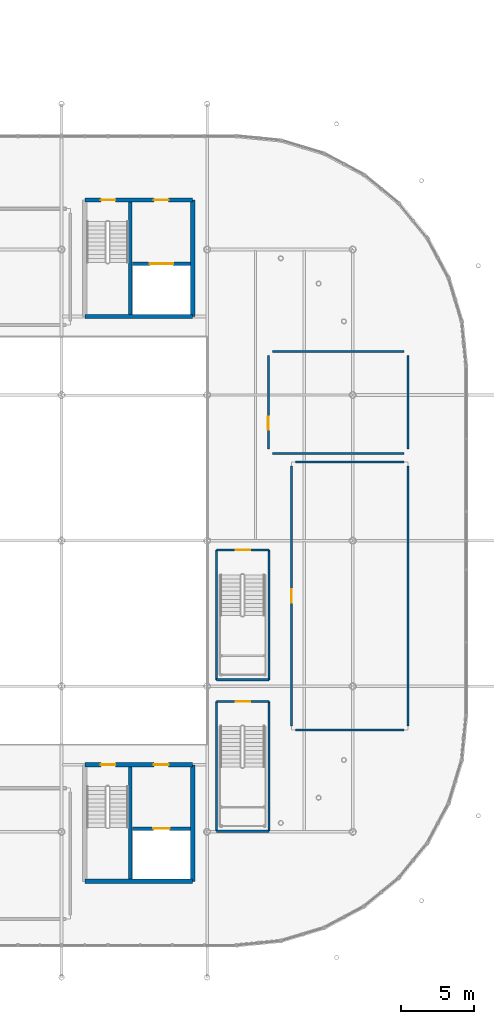
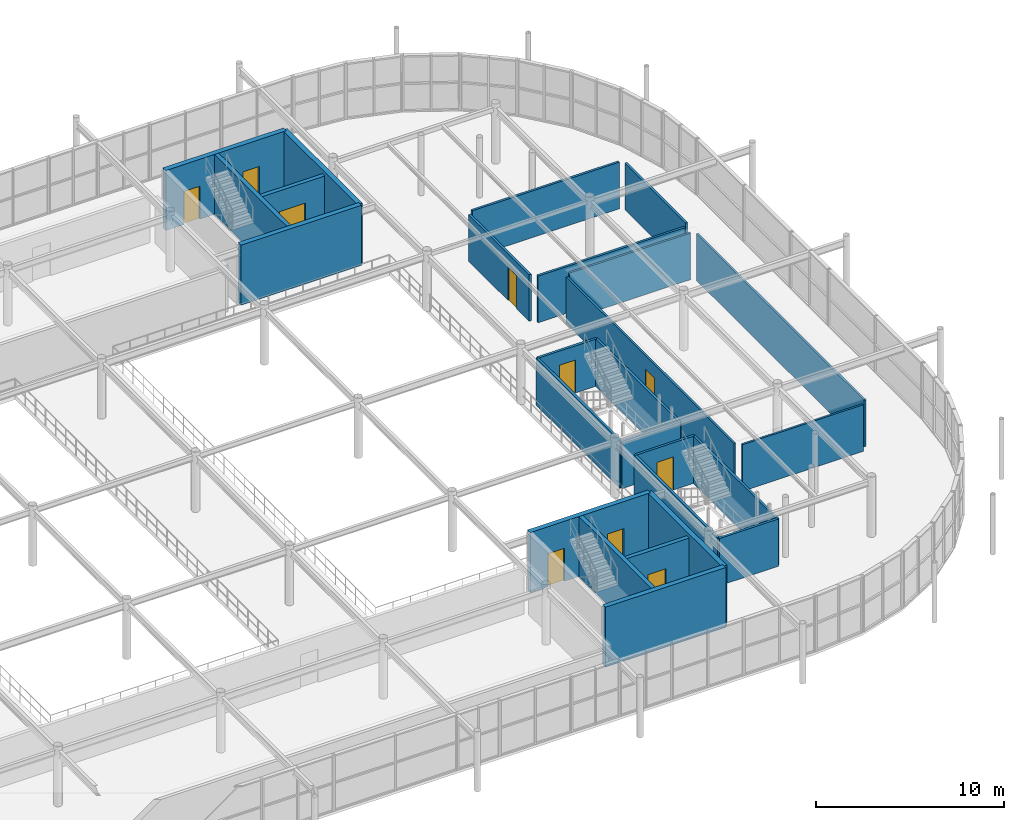
# One storey, part 81 of 98: 26 walls, 10 doors, 10 openings.
"""IFC4 building model written with IfcOpenShell, lengths in metres."""

from ifc_helpers import new_model, si_unit, derived_unit, direction, frame, frame_2d, origin, place, context, subcontext, project, spatial, rectangle, extrude, material, layer, layer_set, type_object, element, fill, save


model = new_model("IFC4")

# Units and contexts
model_context = context("Model", 3, precision=1e-05, world=origin(), true_north=direction((0.0, 1.0)))
body_context = subcontext(model_context, "Body", "Model", "MODEL_VIEW")
ifc_project = project(units=[si_unit("LENGTHUNIT", "METRE"), si_unit("AREAUNIT", "SQUARE_METRE"), si_unit("VOLUMEUNIT", "CUBIC_METRE"), si_unit("PLANEANGLEUNIT", "RADIAN"), si_unit("MASSUNIT", "GRAM", prefix="KILO"), derived_unit("THERMALTRANSMITTANCEUNIT", [(si_unit("POWERUNIT", "WATT"), 1), (si_unit("LENGTHUNIT", "METRE"), -2), (si_unit("THERMODYNAMICTEMPERATUREUNIT", "KELVIN"), -1)])], contexts=[model_context])

# Site, building, storey
site_placement = place(None, origin())
site = spatial("IfcSite", under=ifc_project, at=site_placement, CompositionType="ELEMENT")
building_placement = place(site_placement, origin())
building = spatial("IfcBuilding", under=site, at=building_placement, Name="Cinnabar Yard Market Hall", CompositionType="ELEMENT")
storey_placement = place(building_placement, frame((0.0, 0.0, 4.5)))
storey = spatial("IfcBuildingStorey", under=building, at=storey_placement, Name="L01", CompositionType="ELEMENT", Elevation=4.5)

# Walls
ifc_material_1 = material(Name="Acoustic steel-stud plasterboard", Category="steel")
ifc_layer_1 = layer(ifc_material_1, 0.1201171875)
ifc_layer_set_1 = layer_set([ifc_layer_1], Name="Acoustic steel-stud plasterboard")
wall_type_1 = type_object("IfcWallType", Name="WL-PT120", PredefinedType="PARTITIONING", material=ifc_layer_set_1)
wall_1_placement = place(storey_placement, frame((152.080078125, 31.0, 0.0), z_axis=(0.0, 0.0, 1.0), x_axis=(1.0, 0.0, 0.0)))
element("IfcWall", 1, at=wall_1_placement, inside=storey, type_object=wall_type_1, Name="Partition East Gallery Tandoor and Grill Restaurant south", PredefinedType="PARTITIONING", context=body_context, shape_type="SweptSolid", body=[
    extrude(rectangle(XDim=7.43994140625, YDim=0.1201171875, at=frame_2d((3.719970703125, 0.0), x_axis=(1.0, 0.0))), origin(), (0.0, 0.0, 1.0), 3.030029296875),
])
wall_2_placement = place(storey_placement, frame((159.800048828125, 31.280029296875, 0.0), z_axis=(0.0, 0.0, 1.0), x_axis=(0.0, 1.0, 0.0)))
element("IfcWall", 2, at=wall_2_placement, inside=storey, type_object=wall_type_1, Name="Partition East Gallery Tandoor and Grill Restaurant east", PredefinedType="PARTITIONING", context=body_context, shape_type="SweptSolid", body=[
    extrude(rectangle(XDim=17.840087890625, YDim=0.1201171875, at=frame_2d((8.919921875, 0.0), x_axis=(1.0, 0.0))), origin(), (0.0, 0.0, 1.0), 3.030029296875),
])
wall_3_placement = place(storey_placement, frame((159.52001953125, 49.39990234375, 0.0), z_axis=(0.0, 0.0, 1.0), x_axis=(-1.0, 0.0, 0.0)))
element("IfcWall", 3, at=wall_3_placement, inside=storey, type_object=wall_type_1, Name="Partition East Gallery Tandoor and Grill Restaurant north", PredefinedType="PARTITIONING", context=body_context, shape_type="SweptSolid", body=[
    extrude(rectangle(XDim=7.43994140625, YDim=0.1201171875, at=frame_2d((3.719970703125, 0.0), x_axis=(1.0, 0.0))), origin(), (0.0, 0.0, 1.0), 3.030029296875),
])

# Wall, opening, door
wall_4_placement = place(storey_placement, frame((151.800048828125, 49.1201171875, 0.0), z_axis=(0.0, 0.0, 1.0), x_axis=(0.0, -1.0, 0.0)))
wall_4 = element("IfcWall", 4, at=wall_4_placement, inside=storey, type_object=wall_type_1, Name="Partition East Gallery Tandoor and Grill Restaurant west", PredefinedType="PARTITIONING", context=body_context, shape_type="SweptSolid", body=[
    extrude(rectangle(XDim=17.840087890625, YDim=0.1201171875, at=frame_2d((8.919921875, 0.0), x_axis=(1.0, 0.0))), origin(), (0.0, 0.0, 1.0), 3.030029296875),
])
opening_1_placement = place(wall_4_placement, frame((8.445068359375, 0.0, 0.0)))
opening_1 = element("IfcOpeningElement", 5, at=opening_1_placement, cuts=wall_4, Name="Opening ID-146", PredefinedType="OPENING", context=body_context, shape_type="SweptSolid", body=[
    extrude(rectangle(XDim=0.949951171875, YDim=2.14990234375, at=frame_2d((0.47509765625, 1.074951171875), x_axis=(1.0, 0.0))), frame((0.0, 0.070068359375, 0.0), z_axis=(0.0, -1.0, 0.0), x_axis=(1.0, 0.0, 0.0)), (0.0, 0.0, 1.0), 0.14013671875),
])
ifc_material_2 = material(Name="Solid-core spotted gum timber", Category="wood")
door_type_1 = type_object("IfcDoorType", Name="DR-D06", OperationType="NOTDEFINED", PredefinedType="DOOR", material=ifc_material_2)
door_1_placement = place(opening_1_placement, origin())
door_1 = element("IfcDoor", 6, at=door_1_placement, inside=storey, type_object=door_type_1, Name="Interior Door ID-146", OperationType="SINGLE_SWING_LEFT", OverallHeight=2.14990234375, OverallWidth=0.949951171875, PredefinedType="DOOR", context=body_context, shape_type="SweptSolid", body=[
    extrude(rectangle(XDim=0.949951171875, YDim=2.14990234375, at=frame_2d((0.47509765625, 1.074951171875), x_axis=(1.0, 0.0))), frame((0.0, 0.02490234375, 0.0), z_axis=(0.0, -1.0, 0.0), x_axis=(1.0, 0.0, 0.0)), (0.0, 0.0, 1.0), 0.050048828125),
])
fill(opening_1, door_1)

# Walls
ifc_material_3 = material(Name="Moisture-resistant tiled service wall")
ifc_layer_2 = layer(ifc_material_3, 0.139892578125)
ifc_layer_set_2 = layer_set([ifc_layer_2], Name="Moisture-resistant tiled service wall")
wall_type_2 = type_object("IfcWallType", Name="WL-PT140", PredefinedType="PLUMBINGWALL", material=ifc_layer_set_2)
wall_5_placement = place(storey_placement, frame((150.47998046875, 50.0, 0.0), z_axis=(0.0, 0.0, 1.0), x_axis=(1.0, 0.0, 0.0)))
element("IfcWall", 7, at=wall_5_placement, inside=storey, type_object=wall_type_2, Name="Partition L01 Gallery Public and Accessible WC south", PredefinedType="PLUMBINGWALL", context=body_context, shape_type="SweptSolid", body=[
    extrude(rectangle(XDim=9.0400390625, YDim=0.139892578125, at=frame_2d((4.52001953125, 0.0), x_axis=(1.0, 0.0))), origin(), (0.0, 0.0, 1.0), 3.030029296875),
])
wall_6_placement = place(storey_placement, frame((159.800048828125, 50.280029296875, 0.0), z_axis=(0.0, 0.0, 1.0), x_axis=(0.0, 1.0, 0.0)))
element("IfcWall", 8, at=wall_6_placement, inside=storey, type_object=wall_type_2, Name="Partition L01 Gallery Public and Accessible WC east", PredefinedType="PLUMBINGWALL", context=body_context, shape_type="SweptSolid", body=[
    extrude(rectangle(XDim=6.43994140625, YDim=0.139892578125, at=frame_2d((3.219970703125, 0.0), x_axis=(1.0, 0.0))), origin(), (0.0, 0.0, 1.0), 3.030029296875),
])
wall_7_placement = place(storey_placement, frame((159.52001953125, 57.0, 0.0), z_axis=(0.0, 0.0, 1.0), x_axis=(-1.0, 0.0, 0.0)))
element("IfcWall", 9, at=wall_7_placement, inside=storey, type_object=wall_type_2, Name="Partition L01 Gallery Public and Accessible WC north", PredefinedType="PLUMBINGWALL", context=body_context, shape_type="SweptSolid", body=[
    extrude(rectangle(XDim=9.0400390625, YDim=0.139892578125, at=frame_2d((4.52001953125, 0.0), x_axis=(1.0, 0.0))), origin(), (0.0, 0.0, 1.0), 3.030029296875),
])

# Wall, opening, door
wall_8_placement = place(storey_placement, frame((150.199951171875, 56.719970703125, 0.0), z_axis=(0.0, 0.0, 1.0), x_axis=(0.0, -1.0, 0.0)))
wall_8 = element("IfcWall", 10, at=wall_8_placement, inside=storey, type_object=wall_type_2, Name="Partition L01 Gallery Public and Accessible WC west", PredefinedType="PLUMBINGWALL", context=body_context, shape_type="SweptSolid", body=[
    extrude(rectangle(XDim=6.43994140625, YDim=0.139892578125, at=frame_2d((3.219970703125, 0.0), x_axis=(1.0, 0.0))), origin(), (0.0, 0.0, 1.0), 3.030029296875),
])
opening_2_placement = place(wall_8_placement, frame((4.1953125, 0.0, 0.0)))
opening_2 = element("IfcOpeningElement", 11, at=opening_2_placement, cuts=wall_8, Name="Opening ID-147", PredefinedType="OPENING", context=body_context, shape_type="SweptSolid", body=[
    extrude(rectangle(XDim=0.919921875, YDim=2.14990234375, at=frame_2d((0.4599609375, 1.074951171875), x_axis=(1.0, 0.0))), frame((0.0, 0.079833984375, 0.0), z_axis=(0.0, -1.0, 0.0), x_axis=(1.0, 0.0, 0.0)), (0.0, 0.0, 1.0), 0.159912109375),
])
door_type_2 = type_object("IfcDoorType", Name="DR-D07", OperationType="NOTDEFINED", PredefinedType="DOOR", material=ifc_material_2)
door_2_placement = place(opening_2_placement, origin())
door_2 = element("IfcDoor", 12, at=door_2_placement, inside=storey, type_object=door_type_2, Name="Interior Door ID-147", OperationType="SINGLE_SWING_RIGHT", OverallHeight=2.14990234375, OverallWidth=0.919921875, PredefinedType="DOOR", context=body_context, shape_type="SweptSolid", body=[
    extrude(rectangle(XDim=0.919921875, YDim=2.14990234375, at=frame_2d((0.4599609375, 1.074951171875), x_axis=(1.0, 0.0))), frame((0.0, 0.02490234375, 0.0), z_axis=(0.0, -1.0, 0.0), x_axis=(1.0, 0.0, 0.0)), (0.0, 0.0, 1.0), 0.050048828125),
])
fill(opening_2, door_2)

# Walls
ifc_material_4 = material(Name="Fire-rated steel-stud plasterboard", Category="steel")
ifc_layer_3 = layer(ifc_material_4, 0.14990234375)
ifc_layer_set_3 = layer_set([ifc_layer_3], Name="Fire-rated steel-stud plasterboard")
wall_type_3 = type_object("IfcWallType", Name="WL-PT150", PredefinedType="PARTITIONING", material=ifc_layer_set_3)
for number, where, z_axis, x_axis, name in (
    (13, (146.639892578125, 43.360107421875, 0.0), (0.0, 0.0, 1.0), (0.0, -1.0, 0.0), "Stair ST-F2 Shaft Wall W L01"),
    (14, (150.260009765625, 34.43994140625, 0.0), (0.0, 0.0, 1.0), (0.0, 1.0, 0.0), "Stair ST-F2 Shaft Wall E L01"),
):
    element("IfcWall", number, at=place(storey_placement, frame(where, z_axis=z_axis, x_axis=x_axis)), inside=storey, type_object=wall_type_3, Name=name, PredefinedType="PARTITIONING", context=body_context, shape_type="SweptSolid", body=[
        extrude(rectangle(XDim=8.920166015625, YDim=0.14990234375, at=frame_2d((4.4599609375, 0.0), x_axis=(1.0, 0.0))), origin(), (0.0, 0.0, 1.0), 3.070068359375),
    ])
wall_9_placement = place(storey_placement, frame((146.639892578125, 34.43994140625, 0.0), z_axis=(0.0, 0.0, 1.0), x_axis=(1.0, 0.0, 0.0)))
element("IfcWall", 15, at=wall_9_placement, inside=storey, type_object=wall_type_3, Name="Stair ST-F2 Shaft Wall S L01", PredefinedType="PARTITIONING", context=body_context, shape_type="SweptSolid", body=[
    extrude(rectangle(XDim=3.6201171875, YDim=0.14990234375, at=frame_2d((1.81005859375, 0.0), x_axis=(1.0, 0.0))), origin(), (0.0, 0.0, 1.0), 3.070068359375),
])

# Wall, opening, door
wall_10_placement = place(storey_placement, frame((150.260009765625, 43.360107421875, 0.0), z_axis=(0.0, 0.0, 1.0), x_axis=(-1.0, 0.0, 0.0)))
wall_10 = element("IfcWall", 16, at=wall_10_placement, inside=storey, type_object=wall_type_3, Name="Stair ST-F2 Shaft Wall N L01", PredefinedType="PARTITIONING", context=body_context, shape_type="SweptSolid", body=[
    extrude(rectangle(XDim=3.6201171875, YDim=0.14990234375, at=frame_2d((1.81005859375, 0.0), x_axis=(1.0, 0.0))), origin(), (0.0, 0.0, 1.0), 3.070068359375),
])
opening_3_placement = place(wall_10_placement, frame((1.31005859375, 0.0, 0.0)))
opening_3 = element("IfcOpeningElement", 17, at=opening_3_placement, cuts=wall_10, Name="Opening CD-069", PredefinedType="OPENING", context=body_context, shape_type="SweptSolid", body=[
    extrude(rectangle(XDim=1.0, YDim=2.14990234375, at=frame_2d((0.5, 1.074951171875), x_axis=(1.0, 0.0))), frame((0.0, 0.0849609375, 0.0), z_axis=(0.0, -1.0, 0.0), x_axis=(1.0, 0.0, 0.0)), (0.0, 0.0, 1.0), 0.169921875),
])
door_type_3 = type_object("IfcDoorType", Name="DR-D05", OperationType="NOTDEFINED", PredefinedType="DOOR", material=ifc_material_2)
door_3_placement = place(opening_3_placement, origin())
door_3 = element("IfcDoor", 18, at=door_3_placement, inside=storey, type_object=door_type_3, Name="Stair Door CD-069", OperationType="SINGLE_SWING_LEFT", OverallHeight=2.14990234375, OverallWidth=1.0, PredefinedType="DOOR", context=body_context, shape_type="SweptSolid", body=[
    extrude(rectangle(XDim=1.0, YDim=2.14990234375, at=frame_2d((0.5, 1.074951171875), x_axis=(1.0, 0.0))), frame((0.0, 0.02490234375, 0.0), z_axis=(0.0, -1.0, 0.0), x_axis=(1.0, 0.0, 0.0)), (0.0, 0.0, 1.0), 0.050048828125),
])
fill(opening_3, door_3)

# Walls
for number, where, z_axis, x_axis, name in (
    (19, (146.639892578125, 32.9599609375, 0.0), (0.0, 0.0, 1.0), (0.0, -1.0, 0.0), "Stair ST-F5 Shaft Wall W L01"),
    (20, (150.260009765625, 24.0400390625, 0.0), (0.0, 0.0, 1.0), (0.0, 1.0, 0.0), "Stair ST-F5 Shaft Wall E L01"),
):
    element("IfcWall", number, at=place(storey_placement, frame(where, z_axis=z_axis, x_axis=x_axis)), inside=storey, type_object=wall_type_3, Name=name, PredefinedType="PARTITIONING", context=body_context, shape_type="SweptSolid", body=[
        extrude(rectangle(XDim=8.919921875, YDim=0.14990234375, at=frame_2d((4.4599609375, 0.0), x_axis=(1.0, 0.0))), origin(), (0.0, 0.0, 1.0), 3.070068359375),
    ])
wall_11_placement = place(storey_placement, frame((146.639892578125, 24.0400390625, 0.0), z_axis=(0.0, 0.0, 1.0), x_axis=(1.0, 0.0, 0.0)))
element("IfcWall", 21, at=wall_11_placement, inside=storey, type_object=wall_type_3, Name="Stair ST-F5 Shaft Wall S L01", PredefinedType="PARTITIONING", context=body_context, shape_type="SweptSolid", body=[
    extrude(rectangle(XDim=3.6201171875, YDim=0.14990234375, at=frame_2d((1.81005859375, 0.0), x_axis=(1.0, 0.0))), origin(), (0.0, 0.0, 1.0), 3.070068359375),
])

# Wall, opening, door
wall_12_placement = place(storey_placement, frame((150.260009765625, 32.9599609375, 0.0), z_axis=(0.0, 0.0, 1.0), x_axis=(-1.0, 0.0, 0.0)))
wall_12 = element("IfcWall", 22, at=wall_12_placement, inside=storey, type_object=wall_type_3, Name="Stair ST-F5 Shaft Wall N L01", PredefinedType="PARTITIONING", context=body_context, shape_type="SweptSolid", body=[
    extrude(rectangle(XDim=3.6201171875, YDim=0.14990234375, at=frame_2d((1.81005859375, 0.0), x_axis=(1.0, 0.0))), origin(), (0.0, 0.0, 1.0), 3.070068359375),
])
opening_4_placement = place(wall_12_placement, frame((1.31005859375, 0.0, 0.0)))
opening_4 = element("IfcOpeningElement", 23, at=opening_4_placement, cuts=wall_12, Name="Opening CD-079", PredefinedType="OPENING", context=body_context, shape_type="SweptSolid", body=[
    extrude(rectangle(XDim=1.0, YDim=2.14990234375, at=frame_2d((0.5, 1.074951171875), x_axis=(1.0, 0.0))), frame((0.0, 0.0849609375, 0.0), z_axis=(0.0, -1.0, 0.0), x_axis=(1.0, 0.0, 0.0)), (0.0, 0.0, 1.0), 0.169921875),
])
door_4_placement = place(opening_4_placement, origin())
door_4 = element("IfcDoor", 24, at=door_4_placement, inside=storey, type_object=door_type_3, Name="Stair Door CD-079", OperationType="SINGLE_SWING_LEFT", OverallHeight=2.14990234375, OverallWidth=1.0, PredefinedType="DOOR", context=body_context, shape_type="SweptSolid", body=[
    extrude(rectangle(XDim=1.0, YDim=2.14990234375, at=frame_2d((0.5, 1.074951171875), x_axis=(1.0, 0.0))), frame((0.0, 0.02490234375, 0.0), z_axis=(0.0, -1.0, 0.0), x_axis=(1.0, 0.0, 0.0)), (0.0, 0.0, 1.0), 0.050048828125),
])
fill(opening_4, door_4)

# Walls
ifc_material_5 = material(Name="Concrete 40 MPa", Category="concrete")
ifc_layer_4 = layer(ifc_material_5, 0.300048828125)
ifc_layer_set_4 = layer_set([ifc_layer_4], Name="Concrete 40 MPa")
wall_type_4 = type_object("IfcWallType", Name="WL-W-CORE", PredefinedType="SHEAR", material=ifc_layer_set_4)
wall_13_placement = place(storey_placement, frame((145.0, 20.60009765625, 0.0), z_axis=(0.0, 0.0, 1.0), x_axis=(0.0, 1.0, 0.0)))
element("IfcWall", 25, at=wall_13_placement, inside=storey, type_object=wall_type_4, Name="Core C2 East Shear Wall L01", PredefinedType="SHEAR", context=body_context, shape_type="SweptSolid", body=[
    extrude(rectangle(XDim=8.0, YDim=0.300048828125, at=frame_2d((4.0, 0.0), x_axis=(1.0, 0.0))), origin(), (0.0, 0.0, 1.0), 3.89990234375),
])
wall_14_placement = place(storey_placement, frame((137.60009765625, 20.60009765625, 0.0), z_axis=(0.0, 0.0, 1.0), x_axis=(1.0, 0.0, 0.0)))
element("IfcWall", 26, at=wall_14_placement, inside=storey, type_object=wall_type_4, Name="Core C2 South Shear Wall L01", PredefinedType="SHEAR", context=body_context, shape_type="SweptSolid", body=[
    extrude(rectangle(XDim=7.39990234375, YDim=0.300048828125, at=frame_2d((3.699951171875, 0.0), x_axis=(1.0, 0.0))), origin(), (0.0, 0.0, 1.0), 3.89990234375),
])

# Wall, openings, doors
wall_15_placement = place(storey_placement, frame((145.0, 28.60009765625, 0.0), z_axis=(0.0, 0.0, 1.0), x_axis=(-1.0, 0.0, 0.0)))
wall_15 = element("IfcWall", 27, at=wall_15_placement, inside=storey, type_object=wall_type_4, Name="Core C2 North Shear Wall L01", PredefinedType="SHEAR", context=body_context, shape_type="SweptSolid", body=[
    extrude(rectangle(XDim=7.39990234375, YDim=0.300048828125, at=frame_2d((3.699951171875, 0.0), x_axis=(1.0, 0.0))), origin(), (0.0, 0.0, 1.0), 3.89990234375),
])
opening_5_placement = place(wall_15_placement, frame((1.64990234375, 0.0, 0.0)))
opening_5 = element("IfcOpeningElement", 28, at=opening_5_placement, cuts=wall_15, Name="Opening CD-013", PredefinedType="OPENING", context=body_context, shape_type="SweptSolid", body=[
    extrude(rectangle(XDim=1.0, YDim=2.14990234375, at=frame_2d((0.5, 1.074951171875), x_axis=(1.0, 0.0))), frame((0.0, 0.159912109375, 0.0), z_axis=(0.0, -1.0, 0.0), x_axis=(1.0, 0.0, 0.0)), (0.0, 0.0, 1.0), 0.320068359375),
])
opening_6_placement = place(wall_15_placement, frame((5.300048828125, 0.0, 0.0)))
opening_6 = element("IfcOpeningElement", 29, at=opening_6_placement, cuts=wall_15, Name="Opening CD-014", PredefinedType="OPENING", context=body_context, shape_type="SweptSolid", body=[
    extrude(rectangle(XDim=1.0, YDim=2.14990234375, at=frame_2d((0.5, 1.074951171875), x_axis=(1.0, 0.0))), frame((0.0, 0.159912109375, 0.0), z_axis=(0.0, -1.0, 0.0), x_axis=(1.0, 0.0, 0.0)), (0.0, 0.0, 1.0), 0.320068359375),
])
door_5_placement = place(opening_5_placement, origin())
door_5 = element("IfcDoor", 30, at=door_5_placement, inside=storey, type_object=door_type_3, Name="Core Door CD-013", OperationType="SINGLE_SWING_RIGHT", OverallHeight=2.14990234375, OverallWidth=1.0, PredefinedType="DOOR", context=body_context, shape_type="SweptSolid", body=[
    extrude(rectangle(XDim=1.0, YDim=2.14990234375, at=frame_2d((0.5, 1.074951171875), x_axis=(1.0, 0.0))), frame((0.0, 0.02490234375, 0.0), z_axis=(0.0, -1.0, 0.0), x_axis=(1.0, 0.0, 0.0)), (0.0, 0.0, 1.0), 0.050048828125),
])
fill(opening_5, door_5)
door_6_placement = place(opening_6_placement, origin())
door_6 = element("IfcDoor", 31, at=door_6_placement, inside=storey, type_object=door_type_3, Name="Core Door CD-014", OperationType="SINGLE_SWING_LEFT", OverallHeight=2.14990234375, OverallWidth=1.0, PredefinedType="DOOR", context=body_context, shape_type="SweptSolid", body=[
    extrude(rectangle(XDim=1.0, YDim=2.14990234375, at=frame_2d((0.5, 1.074951171875), x_axis=(1.0, 0.0))), frame((0.0, 0.02490234375, 0.0), z_axis=(0.0, -1.0, 0.0), x_axis=(1.0, 0.0, 0.0)), (0.0, 0.0, 1.0), 0.050048828125),
])
fill(opening_6, door_6)

# Walls
wall_16_placement = place(storey_placement, frame((145.0, 59.39990234375, 0.0), z_axis=(0.0, 0.0, 1.0), x_axis=(0.0, 1.0, 0.0)))
element("IfcWall", 32, at=wall_16_placement, inside=storey, type_object=wall_type_4, Name="Core C7 East Shear Wall L01", PredefinedType="SHEAR", context=body_context, shape_type="SweptSolid", body=[
    extrude(rectangle(XDim=8.0, YDim=0.300048828125, at=frame_2d((4.0, 0.0), x_axis=(1.0, 0.0))), origin(), (0.0, 0.0, 1.0), 3.89990234375),
])
wall_17_placement = place(storey_placement, frame((137.60009765625, 59.39990234375, 0.0), z_axis=(0.0, 0.0, 1.0), x_axis=(1.0, 0.0, 0.0)))
element("IfcWall", 33, at=wall_17_placement, inside=storey, type_object=wall_type_4, Name="Core C7 South Shear Wall L01", PredefinedType="SHEAR", context=body_context, shape_type="SweptSolid", body=[
    extrude(rectangle(XDim=7.39990234375, YDim=0.300048828125, at=frame_2d((3.699951171875, 0.0), x_axis=(1.0, 0.0))), origin(), (0.0, 0.0, 1.0), 3.89990234375),
])

# Wall, openings, doors
wall_18_placement = place(storey_placement, frame((145.0, 67.39990234375, 0.0), z_axis=(0.0, 0.0, 1.0), x_axis=(-1.0, 0.0, 0.0)))
wall_18 = element("IfcWall", 34, at=wall_18_placement, inside=storey, type_object=wall_type_4, Name="Core C7 North Shear Wall L01", PredefinedType="SHEAR", context=body_context, shape_type="SweptSolid", body=[
    extrude(rectangle(XDim=7.39990234375, YDim=0.300048828125, at=frame_2d((3.699951171875, 0.0), x_axis=(1.0, 0.0))), origin(), (0.0, 0.0, 1.0), 3.89990234375),
])
opening_7_placement = place(wall_18_placement, frame((1.64990234375, 0.0, 0.0)))
opening_7 = element("IfcOpeningElement", 35, at=opening_7_placement, cuts=wall_18, Name="Opening CD-057", PredefinedType="OPENING", context=body_context, shape_type="SweptSolid", body=[
    extrude(rectangle(XDim=1.0, YDim=2.14990234375, at=frame_2d((0.5, 1.074951171875), x_axis=(1.0, 0.0))), frame((0.0, 0.159912109375, 0.0), z_axis=(0.0, -1.0, 0.0), x_axis=(1.0, 0.0, 0.0)), (0.0, 0.0, 1.0), 0.320068359375),
])
opening_8_placement = place(wall_18_placement, frame((5.300048828125, 0.0, 0.0)))
opening_8 = element("IfcOpeningElement", 36, at=opening_8_placement, cuts=wall_18, Name="Opening CD-058", PredefinedType="OPENING", context=body_context, shape_type="SweptSolid", body=[
    extrude(rectangle(XDim=1.0, YDim=2.14990234375, at=frame_2d((0.5, 1.074951171875), x_axis=(1.0, 0.0))), frame((0.0, 0.159912109375, 0.0), z_axis=(0.0, -1.0, 0.0), x_axis=(1.0, 0.0, 0.0)), (0.0, 0.0, 1.0), 0.320068359375),
])
door_7_placement = place(opening_7_placement, origin())
door_7 = element("IfcDoor", 37, at=door_7_placement, inside=storey, type_object=door_type_3, Name="Core Door CD-057", OperationType="SINGLE_SWING_RIGHT", OverallHeight=2.14990234375, OverallWidth=1.0, PredefinedType="DOOR", context=body_context, shape_type="SweptSolid", body=[
    extrude(rectangle(XDim=1.0, YDim=2.14990234375, at=frame_2d((0.5, 1.074951171875), x_axis=(1.0, 0.0))), frame((0.0, 0.02490234375, 0.0), z_axis=(0.0, -1.0, 0.0), x_axis=(1.0, 0.0, 0.0)), (0.0, 0.0, 1.0), 0.050048828125),
])
fill(opening_7, door_7)
door_8_placement = place(opening_8_placement, origin())
door_8 = element("IfcDoor", 38, at=door_8_placement, inside=storey, type_object=door_type_3, Name="Core Door CD-058", OperationType="SINGLE_SWING_LEFT", OverallHeight=2.14990234375, OverallWidth=1.0, PredefinedType="DOOR", context=body_context, shape_type="SweptSolid", body=[
    extrude(rectangle(XDim=1.0, YDim=2.14990234375, at=frame_2d((0.5, 1.074951171875), x_axis=(1.0, 0.0))), frame((0.0, 0.02490234375, 0.0), z_axis=(0.0, -1.0, 0.0), x_axis=(1.0, 0.0, 0.0)), (0.0, 0.0, 1.0), 0.050048828125),
])
fill(opening_8, door_8)

# Wall
ifc_layer_5 = layer(ifc_material_5, 0.25)
ifc_layer_set_5 = layer_set([ifc_layer_5], Name="Concrete 40 MPa")
wall_type_5 = type_object("IfcWallType", Name="WL-W-SHAFT", PredefinedType="SHEAR", material=ifc_layer_set_5)
wall_19_placement = place(storey_placement, frame((140.715087890625, 20.75, 0.0), z_axis=(0.0, 0.0, 1.0), x_axis=(0.0, 1.0, 0.0)))
element("IfcWall", 39, at=wall_19_placement, inside=storey, type_object=wall_type_5, Name="Core C2 Shaft Divider L01", PredefinedType="SHEAR", context=body_context, shape_type="SweptSolid", body=[
    extrude(rectangle(XDim=7.699951171875, YDim=0.25, at=frame_2d((3.85009765625, 0.0), x_axis=(1.0, 0.0))), origin(), (0.0, 0.0, 1.0), 3.89990234375),
])

# Wall, opening, door
wall_20_placement = place(storey_placement, frame((140.8798828125, 24.219970703125, 0.0), z_axis=(0.0, 0.0, 1.0), x_axis=(1.0, 0.0, 0.0)))
wall_20 = element("IfcWall", 40, at=wall_20_placement, inside=storey, type_object=wall_type_5, Name="Core C2 Lift Front Wall L01", PredefinedType="SHEAR", context=body_context, shape_type="SweptSolid", body=[
    extrude(rectangle(XDim=3.97021484375, YDim=0.25, at=frame_2d((1.985107421875, 0.0), x_axis=(1.0, 0.0))), origin(), (0.0, 0.0, 1.0), 3.64990234375),
])
opening_9_placement = place(wall_20_placement, frame((1.43505859375, 0.0, 0.0)))
opening_9 = element("IfcOpeningElement", 41, at=opening_9_placement, cuts=wall_20, Name="Opening LD-LP-01-L01", PredefinedType="OPENING", context=body_context, shape_type="SweptSolid", body=[
    extrude(rectangle(XDim=1.10009765625, YDim=2.14990234375, at=frame_2d((0.550048828125, 1.074951171875), x_axis=(1.0, 0.0))), frame((0.0, 0.135009765625, 0.0), z_axis=(0.0, -1.0, 0.0), x_axis=(1.0, 0.0, 0.0)), (0.0, 0.0, 1.0), 0.27001953125),
])
ifc_material_6 = material(Name="Brushed stainless steel landing door", Category="steel")
door_type_4 = type_object("IfcDoorType", Name="DR-LD01", OperationType="NOTDEFINED", PredefinedType="DOOR", material=ifc_material_6)
door_9_placement = place(opening_9_placement, origin())
door_9 = element("IfcDoor", 42, at=door_9_placement, inside=storey, type_object=door_type_4, Name="Lift Landing Door LD-LP-01-L01", OperationType="SLIDING_TO_LEFT", OverallHeight=2.14990234375, OverallWidth=1.10009765625, PredefinedType="DOOR", context=body_context, shape_type="SweptSolid", body=[
    extrude(rectangle(XDim=1.10009765625, YDim=2.14990234375, at=frame_2d((0.550048828125, 1.074951171875), x_axis=(1.0, 0.0))), frame((0.0, 0.02490234375, 0.0), z_axis=(0.0, -1.0, 0.0), x_axis=(1.0, 0.0, 0.0)), (0.0, 0.0, 1.0), 0.050048828125),
])
fill(opening_9, door_9)

# Wall
wall_21_placement = place(storey_placement, frame((140.715087890625, 59.550048828125, 0.0), z_axis=(0.0, 0.0, 1.0), x_axis=(0.0, 1.0, 0.0)))
element("IfcWall", 43, at=wall_21_placement, inside=storey, type_object=wall_type_5, Name="Core C7 Shaft Divider L01", PredefinedType="SHEAR", context=body_context, shape_type="SweptSolid", body=[
    extrude(rectangle(XDim=7.699951171875, YDim=0.25, at=frame_2d((3.85009765625, 0.0), x_axis=(1.0, 0.0))), origin(), (0.0, 0.0, 1.0), 3.89990234375),
])

# Wall, opening, door
wall_22_placement = place(storey_placement, frame((140.8798828125, 63.02001953125, 0.0), z_axis=(0.0, 0.0, 1.0), x_axis=(1.0, 0.0, 0.0)))
wall_22 = element("IfcWall", 44, at=wall_22_placement, inside=storey, type_object=wall_type_5, Name="Core C7 Lift Front Wall L01", PredefinedType="SHEAR", context=body_context, shape_type="SweptSolid", body=[
    extrude(rectangle(XDim=3.97021484375, YDim=0.25, at=frame_2d((1.985107421875, 0.0), x_axis=(1.0, 0.0))), origin(), (0.0, 0.0, 1.0), 3.64990234375),
])
opening_10_placement = place(wall_22_placement, frame((1.18505859375, 0.0, 0.0)))
opening_10 = element("IfcOpeningElement", 45, at=opening_10_placement, cuts=wall_22, Name="Opening LD-LG-01-L01", PredefinedType="OPENING", context=body_context, shape_type="SweptSolid", body=[
    extrude(rectangle(XDim=1.60009765625, YDim=2.300048828125, at=frame_2d((0.800048828125, 1.14990234375), x_axis=(1.0, 0.0))), frame((0.0, 0.135009765625, 0.0), z_axis=(0.0, -1.0, 0.0), x_axis=(1.0, 0.0, 0.0)), (0.0, 0.0, 1.0), 0.27001953125),
])
ifc_material_7 = material(Name="Heavy-duty stainless steel goods landing door", Category="steel")
door_type_5 = type_object("IfcDoorType", Name="DR-LD02", OperationType="NOTDEFINED", PredefinedType="DOOR", material=ifc_material_7)
door_10_placement = place(opening_10_placement, origin())
door_10 = element("IfcDoor", 46, at=door_10_placement, inside=storey, type_object=door_type_5, Name="Lift Landing Door LD-LG-01-L01", OperationType="SLIDING_TO_RIGHT", OverallHeight=2.300048828125, OverallWidth=1.60009765625, PredefinedType="DOOR", context=body_context, shape_type="SweptSolid", body=[
    extrude(rectangle(XDim=1.60009765625, YDim=2.300048828125, at=frame_2d((0.800048828125, 1.14990234375), x_axis=(1.0, 0.0))), frame((0.0, 0.02490234375, 0.0), z_axis=(0.0, -1.0, 0.0), x_axis=(1.0, 0.0, 0.0)), (0.0, 0.0, 1.0), 0.050048828125),
])
fill(opening_10, door_10)

save(model, "model.ifc")
